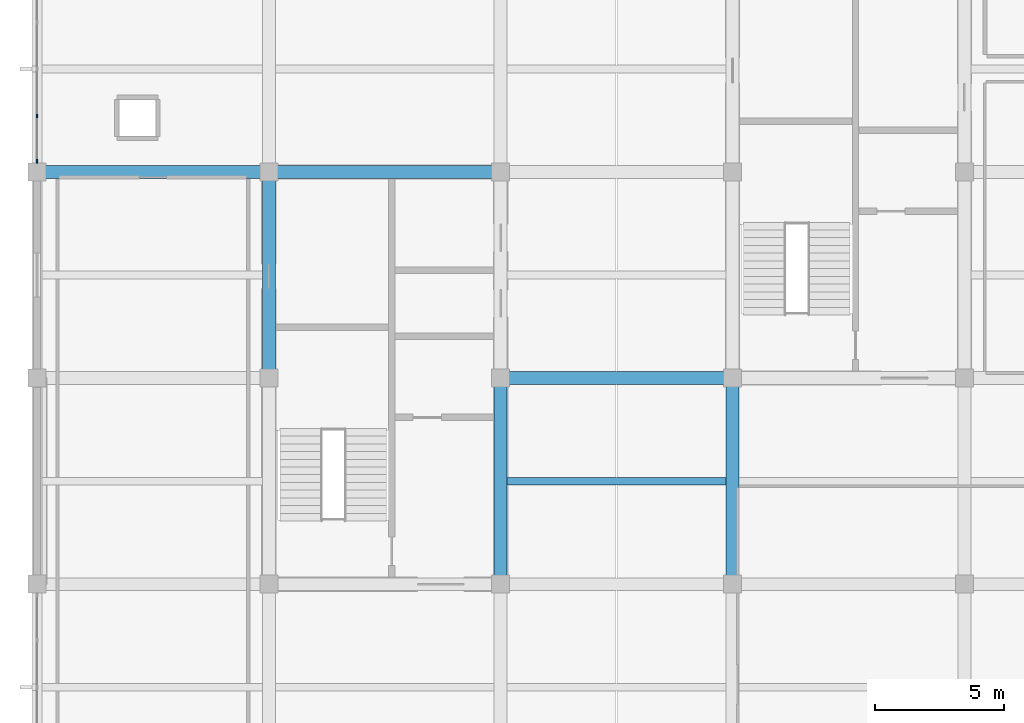
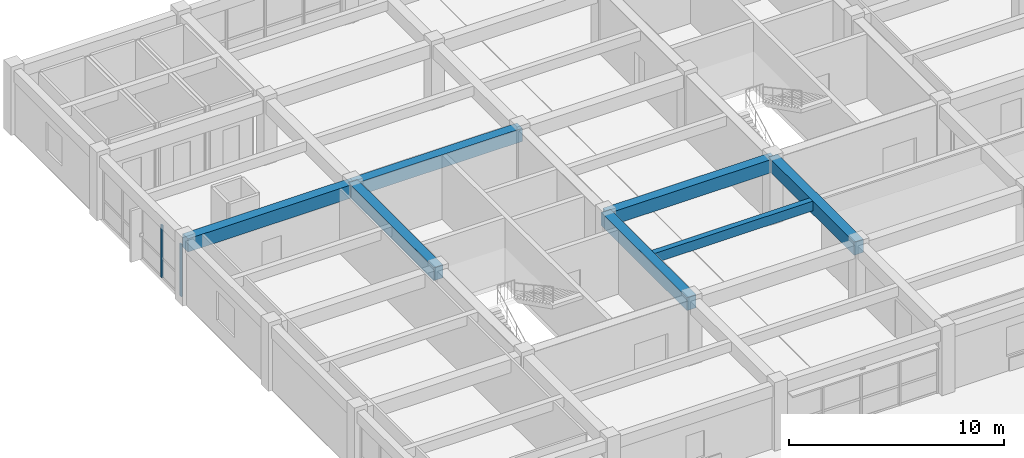
# One storey, part 4 of 14: 7 beams, 2 members, 1 element without a shape of its own.
"""IFC4 building model written with IfcOpenShell, lengths in metres."""

from ifc_helpers import new_model, si_unit, direction, frame, origin, origin_2d, place, context, subcontext, project, spatial, rectangle, extrude, material, material_profile, profile_set, type_object, element, aggregate, save


model = new_model("IFC4")

# Units and contexts
model_context = context("Model", 3, precision=1e-05, world=origin(), true_north=direction((0.0, 1.0)))
body_context = subcontext(model_context, "Body", "Model", "MODEL_VIEW")
ifc_project = project(units=[si_unit("LENGTHUNIT", "METRE"), si_unit("AREAUNIT", "SQUARE_METRE"), si_unit("VOLUMEUNIT", "CUBIC_METRE"), si_unit("PLANEANGLEUNIT", "RADIAN"), si_unit("MASSUNIT", "GRAM", prefix="KILO")], contexts=[model_context])

# Site, building, storey
site_placement = place(None, origin())
site = spatial("IfcSite", under=ifc_project, at=site_placement, CompositionType="ELEMENT")
building_placement = place(site_placement, origin())
building = spatial("IfcBuilding", under=site, at=building_placement, Name="Zaverband Oceanarium and Marine Research Institute", CompositionType="ELEMENT")
storey_placement = place(building_placement, frame((0.0, 0.0, 57.0)))
storey = spatial("IfcBuildingStorey", under=building, at=storey_placement, Name="L14", CompositionType="ELEMENT", Elevation=57.0)

# Beams
ifc_material_1 = material(Name="Concrete C40/50", Category="concrete")
ifc_material_profile_1 = material_profile(ifc_material_1, rectangle(XDim=0.5, YDim=0.75, at=origin_2d()), Name="RC500x750")
ifc_profile_set_1 = profile_set([ifc_material_profile_1], Name="Concrete C40/50")
beam_type_1 = type_object("IfcBeamType", Name="BM-500x750", PredefinedType="BEAM", material=ifc_profile_set_1)
for number, where, z_axis, x_axis, name in (
    (1, (27.0, 88.0, 3.27490234375), (1.0, 0.0, 0.0), (0.0, 1.0, 0.0), "Primary floor girder BM-500x750"),
    (2, (9.0, 96.0, 3.27490234375), (1.0, 0.0, 0.0), (0.0, 1.0, 0.0), "Primary floor girder BM-500x750"),
    (3, (18.0, 96.0, 3.27490234375), (1.0, 0.0, 0.0), (0.0, 1.0, 0.0), "Primary floor girder BM-500x750"),
):
    element("IfcBeam", number, at=place(storey_placement, frame(where, z_axis=z_axis, x_axis=x_axis)), inside=storey, type_object=beam_type_1, Name=name, PredefinedType="BEAM", context=body_context, shape_type="SweptSolid", body=[
        extrude(rectangle(XDim=0.5, YDim=0.75, at=origin_2d()), origin(), (0.0, 0.0, 1.0), 9.0),
    ])
for number, where, z_axis, x_axis, name in (
    (4, (18.0, 88.0, 3.27490234375), (0.0, 1.0, 0.0), (-1.0, 0.0, 0.0), "Primary floor girder BM-500x750"),
    (5, (27.0, 80.0, 3.27490234375), (0.0, 1.0, 0.0), (-1.0, 0.0, 0.0), "Primary floor girder BM-500x750"),
    (6, (36.0, 80.0, 3.27490234375), (0.0, 1.0, 0.0), (-1.0, 0.0, 0.0), "Primary floor girder BM-500x750"),
):
    element("IfcBeam", number, at=place(storey_placement, frame(where, z_axis=z_axis, x_axis=x_axis)), inside=storey, type_object=beam_type_1, Name=name, PredefinedType="BEAM", context=body_context, shape_type="SweptSolid", body=[
        extrude(rectangle(XDim=0.5, YDim=0.75, at=origin_2d()), origin(), (0.0, 0.0, 1.0), 8.0),
    ])
ifc_material_profile_2 = material_profile(ifc_material_1, rectangle(XDim=0.300048828125, YDim=0.550048828125, at=origin_2d()), Name="RC300x550")
ifc_profile_set_2 = profile_set([ifc_material_profile_2], Name="Concrete C40/50")
beam_type_2 = type_object("IfcBeamType", Name="JST-300x550", PredefinedType="JOIST", material=ifc_profile_set_2)
beam_placement = place(storey_placement, frame((27.25, 84.0, 3.375), z_axis=(1.0, 0.0, 0.0), x_axis=(0.0, 1.0, 0.0)))
element("IfcBeam", 7, at=beam_placement, inside=storey, type_object=beam_type_2, Name="Secondary floor joist JST-300x550", PredefinedType="JOIST", context=body_context, shape_type="SweptSolid", body=[
    extrude(rectangle(XDim=0.300048828125, YDim=0.550048828125, at=origin_2d()), origin(), (0.0, 0.0, 1.0), 8.5),
])

# Curtain wall, members
ifc_material_2 = material(Name="Thermally broken anodized aluminium and solar-control glass", Category="aluminium")
curtain_wall_type = type_object("IfcCurtainWallType", Name="CW-UNIT-1800", PredefinedType="NOTDEFINED", material=ifc_material_2)
curtain_wall_placement = place(storey_placement, origin())
curtain_wall = element("IfcCurtainWall", 8, at=curtain_wall_placement, inside=storey, type_object=curtain_wall_type, Name="Unitised glazed curtain wall CW-154", PredefinedType="NOTDEFINED")
ifc_material_3 = material(Name="Thermally broken anodized aluminium", Category="aluminium")
ifc_material_profile_3 = material_profile(ifc_material_3, rectangle(XDim=0.070068359375, YDim=0.14990234375, at=origin_2d()), Name="AL-MUL-70x150")
ifc_profile_set_3 = profile_set([ifc_material_profile_3], Name="Thermally broken anodized aluminium")
member_type = type_object("IfcMemberType", Name="MUL-70x150", PredefinedType="MULLION", material=ifc_profile_set_3)
member_1_placement = place(storey_placement, frame((9.0, 96.4150390625, 0.0), z_axis=(0.0, 0.0, 1.0), x_axis=(1.0, 0.0, 0.0)))
member_1 = element("IfcMember", 9, at=member_1_placement, type_object=member_type, Name="Curtain wall vertical mullion MUL-70x150", PredefinedType="MULLION", context=body_context, shape_type="SweptSolid", body=[
    extrude(rectangle(XDim=0.070068359375, YDim=0.14990234375, at=origin_2d()), origin(), (0.0, 0.0, 1.0), 2.97998046875),
])
member_2_placement = place(storey_placement, frame((9.0, 98.177490234375, 0.0), z_axis=(0.0, 0.0, 1.0), x_axis=(1.0, 0.0, 0.0)))
member_2 = element("IfcMember", 10, at=member_2_placement, type_object=member_type, Name="Curtain wall vertical mullion MUL-70x150", PredefinedType="MULLION", context=body_context, shape_type="SweptSolid", body=[
    extrude(rectangle(XDim=0.070068359375, YDim=0.14990234375, at=origin_2d()), origin(), (0.0, 0.0, 1.0), 2.97998046875),
])
aggregate(curtain_wall, [member_1, member_2])

save(model, "model.ifc")
